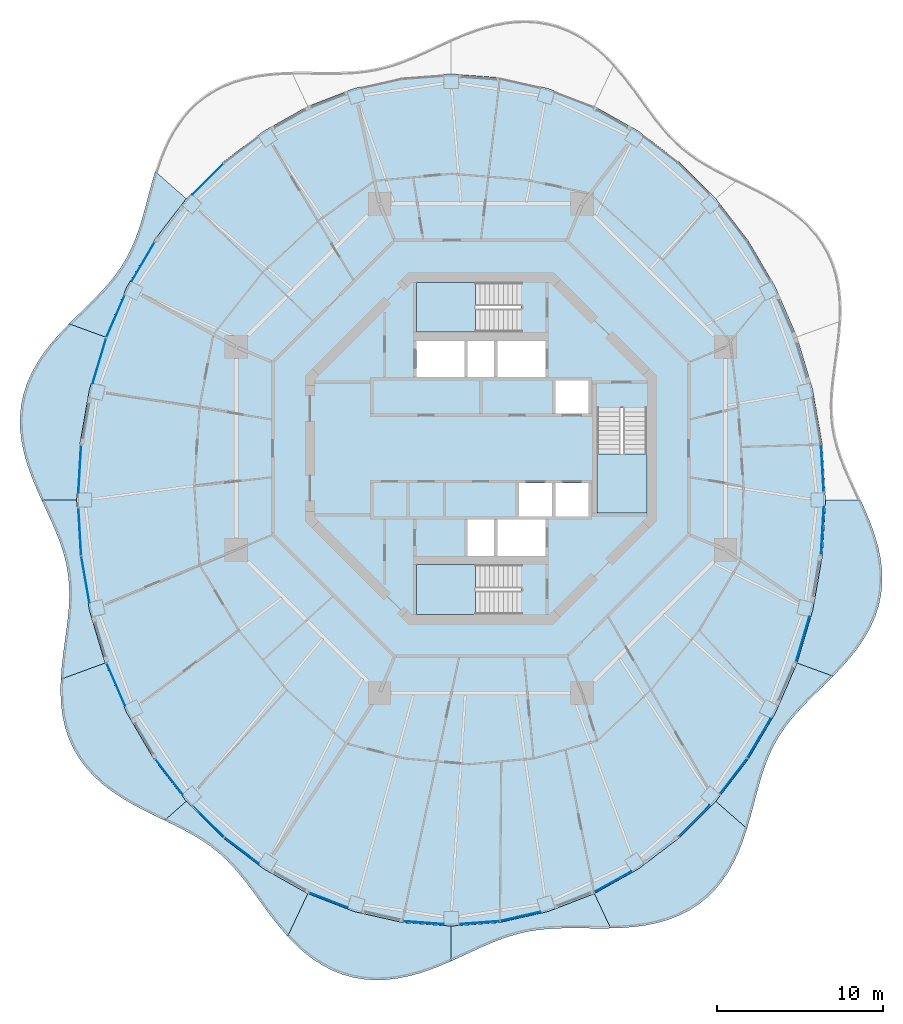
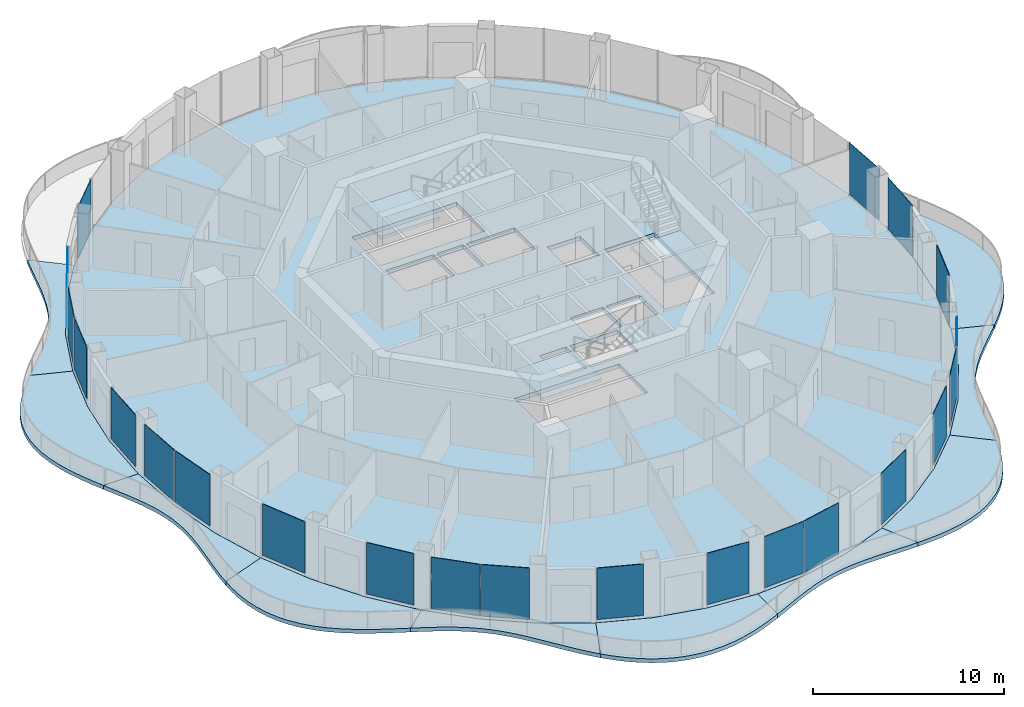
# One storey, part 8 of 17: 22 plates, 14 slabs, 25 elements without a shape of their own.
"""IFC4 building model written with IfcOpenShell, lengths in metres."""

from ifc_helpers import new_model, si_unit, direction, frame, origin, origin_2d, place, context, subcontext, project, spatial, polyline, rectangle, outline, extrude, material, layer, layer_set, type_object, element, aggregate, save


model = new_model("IFC4")

# Units and contexts
model_context = context("Model", 3, precision=1e-05, world=origin(), true_north=direction((0.0, 1.0)))
body_context = subcontext(model_context, "Body", "Model", "MODEL_VIEW")
ifc_project = project(units=[si_unit("LENGTHUNIT", "METRE"), si_unit("AREAUNIT", "SQUARE_METRE"), si_unit("VOLUMEUNIT", "CUBIC_METRE"), si_unit("PLANEANGLEUNIT", "RADIAN"), si_unit("MASSUNIT", "GRAM", prefix="KILO")], contexts=[model_context])

# Site, building, storey
site_placement = place(None, origin())
site = spatial("IfcSite", under=ifc_project, at=site_placement, CompositionType="ELEMENT")
building_placement = place(site_placement, origin())
building = spatial("IfcBuilding", under=site, at=building_placement, Name="Nagisa Residences", CompositionType="ELEMENT")
storey_placement = place(building_placement, frame((0.0, 0.0, 291.800048828125)))
storey = spatial("IfcBuildingStorey", under=building, at=storey_placement, Name="L74", CompositionType="ELEMENT", Elevation=291.800048828125)

# Slabs
ifc_material_1 = material(Name="Concrete C40/50", Category="concrete")
ifc_layer_1 = layer(ifc_material_1, 0.25)
ifc_layer_set_1 = layer_set([ifc_layer_1], Name="BALCONY SLAB 250")
slab_type_1 = type_object("IfcSlabType", Name="BALCONY SLAB 250", PredefinedType="FLOOR", material=ifc_layer_set_1)
slab_1_placement = place(storey_placement, frame((0.0, 0.0, -0.25)))
element("IfcSlab", 1, at=slab_1_placement, inside=storey, type_object=slab_type_1, Name="slab:L74:bal06", PredefinedType="FLOOR", context=body_context, shape_type="SweptSolid", body=[
    extrude(outline(polyline([(-19.673095703125, 16.73388671875), (-19.87841796875, 16.031494140625), (-20.06591796875, 15.333984375), (-20.24609375, 14.649169921875), (-20.42919921875, 13.98291015625), (-20.625, 13.339599609375), (-20.842529296875, 12.72216796875), (-21.08935546875, 12.13134765625), (-21.37109375, 11.56689453125), (-21.692138671875, 11.0263671875), (-22.053955078125, 10.50634765625), (-22.455322265625, 10.002197265625), (-22.893310546875, 9.5087890625), (-23.36279296875, 9.02001953125), (-23.855712890625, 8.530029296875), (-24.36279296875, 8.033447265625), (-24.873779296875, 7.524658203125), (-22.6982421875, 6.732666015625), (-21.389404296875, 9.752197265625), (-19.74560546875, 12.5517578125), (-17.794677734375, 15.083251953125), (-19.673095703125, 16.73388671875)])), origin(), (0.0, 0.0, 1.0), 0.25),
])
slab_2_placement = place(storey_placement, frame((0.0, 0.0, -0.25)))
element("IfcSlab", 2, at=slab_2_placement, inside=storey, type_object=slab_type_1, Name="slab:L74:bal07", PredefinedType="FLOOR", context=body_context, shape_type="SweptSolid", body=[
    extrude(outline(polyline([(-24.873779296875, 7.524658203125), (-25.392822265625, 6.982177734375), (-25.89013671875, 6.41845703125), (-26.35302734375, 5.8310546875), (-26.769287109375, 5.218505859375), (-27.127685546875, 4.581298828125), (-27.41943359375, 3.9208984375), (-27.637939453125, 3.239990234375), (-27.77880859375, 2.542236328125), (-27.8408203125, 1.83203125), (-27.825927734375, 1.114013671875), (-27.738525390625, 0.39306640625), (-27.58544921875, -0.326416015625), (-27.376708984375, -1.0400390625), (-27.12353515625, -1.74462890625), (-26.83837890625, -2.4375), (-26.535400390625, -3.11767578125), (-24.419921875, -3.11767578125), (-24.2265625, 0.241943359375), (-23.649169921875, 3.544189453125), (-22.6982421875, 6.732666015625), (-24.873779296875, 7.524658203125)])), origin(), (0.0, 0.0, 1.0), 0.25),
])
slab_3_placement = place(storey_placement, frame((0.0, 0.0, -0.25)))
element("IfcSlab", 3, at=slab_3_placement, inside=storey, type_object=slab_type_1, Name="slab:L74:bal08", PredefinedType="FLOOR", context=body_context, shape_type="SweptSolid", body=[
    extrude(outline(polyline([(-26.535400390625, -3.11767578125), (-26.227783203125, -3.78466796875), (-25.92919921875, -4.439453125), (-25.65185546875, -5.084228515625), (-25.40625, -5.721435546875), (-25.20068359375, -6.354736328125), (-25.04150390625, -6.98828125), (-24.931640625, -7.6259765625), (-24.871337890625, -8.271728515625), (-24.858154296875, -8.92919921875), (-24.886962890625, -9.600830078125), (-24.94921875, -10.28857421875), (-25.03564453125, -10.992919921875), (-25.134033203125, -11.713134765625), (-25.231689453125, -12.447265625), (-25.315673828125, -13.19140625), (-25.372802734375, -13.941650390625), (-22.6982421875, -12.968017578125), (-23.649169921875, -9.77978515625), (-24.2265625, -6.4775390625), (-24.419921875, -3.11767578125), (-26.535400390625, -3.11767578125)])), origin(), (0.0, 0.0, 1.0), 0.25),
])
slab_4_placement = place(storey_placement, frame((0.0, 0.0, -0.25)))
element("IfcSlab", 4, at=slab_4_placement, inside=storey, type_object=slab_type_1, Name="slab:L74:bal09", PredefinedType="FLOOR", context=body_context, shape_type="SweptSolid", body=[
    extrude(outline(polyline([(-25.372802734375, -13.941650390625), (-25.390625, -14.668701171875), (-25.361328125, -15.389892578125), (-25.276611328125, -16.099365234375), (-25.129638671875, -16.79052734375), (-24.916015625, -17.45751953125), (-24.634033203125, -18.0947265625), (-24.283935546875, -18.697265625), (-23.868408203125, -19.26171875), (-23.392578125, -19.785888671875), (-22.863525390625, -20.26904296875), (-22.289794921875, -20.712158203125), (-21.680908203125, -21.117919921875), (-21.047607421875, -21.490478515625), (-20.400634765625, -21.83544921875), (-19.750244140625, -22.15966796875), (-19.10595703125, -22.470947265625), (-17.794677734375, -21.318603515625), (-19.74560546875, -18.787109375), (-21.389404296875, -15.98779296875), (-22.6982421875, -12.968017578125), (-25.372802734375, -13.941650390625)])), origin(), (0.0, 0.0, 1.0), 0.25),
])
slab_5_placement = place(storey_placement, frame((0.0, 0.0, -0.25)))
element("IfcSlab", 5, at=slab_5_placement, inside=storey, type_object=slab_type_1, Name="slab:L74:bal10", PredefinedType="FLOOR", context=body_context, shape_type="SweptSolid", body=[
    extrude(outline(polyline([(-19.10595703125, -22.470947265625), (-18.505859375, -22.76318359375), (-17.925048828125, -23.058837890625), (-17.36865234375, -23.36474609375), (-16.83935546875, -23.6875), (-16.338134765625, -24.033203125), (-15.864990234375, -24.40625), (-15.41748046875, -24.809814453125), (-14.991943359375, -25.2451171875), (-14.583740234375, -25.71240234375), (-14.186767578125, -26.209228515625), (-13.79443359375, -26.731689453125), (-13.400146484375, -27.27392578125), (-12.99658203125, -27.828857421875), (-12.577880859375, -28.3876953125), (-12.13818359375, -28.94091796875), (-11.67236328125, -29.478271484375), (-10.456298828125, -26.8984375), (-13.110107421875, -25.4091796875), (-15.570068359375, -23.53857421875), (-17.794677734375, -21.318603515625), (-19.10595703125, -22.470947265625)])), origin(), (0.0, 0.0, 1.0), 0.25),
])
slab_6_placement = place(storey_placement, frame((0.0, 0.0, -0.25)))
element("IfcSlab", 6, at=slab_6_placement, inside=storey, type_object=slab_type_1, Name="slab:L74:bal11", PredefinedType="FLOOR", context=body_context, shape_type="SweptSolid", body=[
    extrude(outline(polyline([(-11.67236328125, -29.478271484375), (-11.195556640625, -29.971435546875), (-10.689697265625, -30.4306640625), (-10.153564453125, -30.84716796875), (-9.588134765625, -31.213623046875), (-8.99462890625, -31.523193359375), (-8.37646484375, -31.7705078125), (-7.73681640625, -31.9521484375), (-7.08056640625, -32.066650390625), (-6.412353515625, -32.114013671875), (-5.73779296875, -32.096923828125), (-5.061279296875, -32.019287109375), (-4.38818359375, -31.886962890625), (-3.72265625, -31.70703125), (-3.06787109375, -31.488525390625), (-2.426513671875, -31.240478515625), (-1.800048828125, -30.97314453125), (-1.800048828125, -28.857666015625), (-4.75244140625, -28.637451171875), (-7.654541015625, -27.980712890625), (-10.456298828125, -26.8984375), (-11.67236328125, -29.478271484375)])), origin(), (0.0, 0.0, 1.0), 0.25),
])
slab_7_placement = place(storey_placement, frame((0.0, 0.0, -0.25)))
element("IfcSlab", 7, at=slab_7_placement, inside=storey, type_object=slab_type_1, Name="slab:L74:bal12", PredefinedType="FLOOR", context=body_context, shape_type="SweptSolid", body=[
    extrude(outline(polyline([(-1.800048828125, -30.97314453125), (-1.18896484375, -30.696044921875), (-0.592529296875, -30.419677734375), (-0.0087890625, -30.152587890625), (0.564453125, -29.903076171875), (1.130615234375, -29.677734375), (1.693359375, -29.481689453125), (2.257080078125, -29.318603515625), (2.82568359375, -29.189697265625), (3.403076171875, -29.094482421875), (3.991943359375, -29.03076171875), (4.59521484375, -28.99462890625), (5.21435546875, -28.97998046875), (5.849853515625, -28.980224609375), (6.5009765625, -28.9873046875), (7.16552734375, -28.992431640625), (7.8408203125, -28.987060546875), (6.856201171875, -26.8984375), (4.054443359375, -27.980712890625), (1.152587890625, -28.637451171875), (-1.800048828125, -28.857666015625), (-1.800048828125, -30.97314453125)])), origin(), (0.0, 0.0, 1.0), 0.25),
])
slab_8_placement = place(storey_placement, frame((0.0, 0.0, -0.25)))
element("IfcSlab", 8, at=slab_8_placement, inside=storey, type_object=slab_type_1, Name="slab:L74:bal13", PredefinedType="FLOOR", context=body_context, shape_type="SweptSolid", body=[
    extrude(outline(polyline([(7.8408203125, -28.987060546875), (8.548095703125, -28.960693359375), (9.25634765625, -28.90380859375), (9.95947265625, -28.807861328125), (10.650146484375, -28.66552734375), (11.321044921875, -28.470947265625), (11.965087890625, -28.22021484375), (12.575927734375, -27.91064453125), (13.1474609375, -27.542236328125), (13.67529296875, -27.116455078125), (14.156005859375, -26.636474609375), (14.587890625, -26.107177734375), (14.970947265625, -25.53515625), (15.306640625, -24.927001953125), (15.598876953125, -24.291259765625), (15.85205078125, -23.6357421875), (16.072998046875, -22.96923828125), (14.19482421875, -21.318603515625), (11.97021484375, -23.53857421875), (9.510009765625, -25.4091796875), (6.856201171875, -26.8984375), (7.8408203125, -28.987060546875)])), origin(), (0.0, 0.0, 1.0), 0.25),
])
slab_9_placement = place(storey_placement, frame((0.0, 0.0, -0.25)))
element("IfcSlab", 9, at=slab_9_placement, inside=storey, type_object=slab_type_1, Name="slab:L74:bal14", PredefinedType="FLOOR", context=body_context, shape_type="SweptSolid", body=[
    extrude(outline(polyline([(16.072998046875, -22.96923828125), (16.2783203125, -22.266845703125), (16.466064453125, -21.5693359375), (16.646240234375, -20.884521484375), (16.829345703125, -20.21826171875), (17.02490234375, -19.574951171875), (17.242431640625, -18.95751953125), (17.4892578125, -18.36669921875), (17.771240234375, -17.80224609375), (18.09228515625, -17.26171875), (18.453857421875, -16.74169921875), (18.855224609375, -16.23779296875), (19.29345703125, -15.744140625), (19.7626953125, -15.25537109375), (20.255615234375, -14.765625), (20.762939453125, -14.268798828125), (21.27392578125, -13.760009765625), (19.09814453125, -12.968017578125), (17.78955078125, -15.98779296875), (16.145751953125, -18.787109375), (14.19482421875, -21.318603515625), (16.072998046875, -22.96923828125)])), origin(), (0.0, 0.0, 1.0), 0.25),
])
slab_10_placement = place(storey_placement, frame((0.0, 0.0, -0.25)))
element("IfcSlab", 10, at=slab_10_placement, inside=storey, type_object=slab_type_1, Name="slab:L74:bal15", PredefinedType="FLOOR", context=body_context, shape_type="SweptSolid", body=[
    extrude(outline(polyline([(21.27392578125, -13.760009765625), (21.792724609375, -13.217529296875), (22.290283203125, -12.65380859375), (22.753173828125, -12.06640625), (23.169189453125, -11.453857421875), (23.527587890625, -10.816650390625), (23.8193359375, -10.15625), (24.037841796875, -9.475341796875), (24.1787109375, -8.777587890625), (24.240966796875, -8.0673828125), (24.225830078125, -7.349365234375), (24.138427734375, -6.62841796875), (23.985595703125, -5.908935546875), (23.77685546875, -5.1953125), (23.5234375, -4.49072265625), (23.238525390625, -3.7978515625), (22.935302734375, -3.11767578125), (20.820068359375, -3.11767578125), (20.62646484375, -6.4775390625), (20.04931640625, -9.77978515625), (19.09814453125, -12.968017578125), (21.27392578125, -13.760009765625)])), origin(), (0.0, 0.0, 1.0), 0.25),
])

# Curtain wall, plate
ifc_material_2 = material(Name="Concrete-coloured aluminium curtain wall system", Category="concrete")
ifc_layer_2 = layer(ifc_material_2, 0.159912109375)
ifc_layer_set_2 = layer_set([ifc_layer_2], Name="CW1 CURTAIN WALL")
curtain_wall_type = type_object("IfcCurtainWallType", Name="CW1 CURTAIN WALL", PredefinedType="NOTDEFINED", material=ifc_layer_set_2)
curtain_wall_1_placement = place(storey_placement, origin())
curtain_wall_1 = element("IfcCurtainWall", 11, at=curtain_wall_1_placement, inside=storey, type_object=curtain_wall_type, Name="cw:CW1:L74:00", PredefinedType="NOTDEFINED")
ifc_material_3 = material(Name="Clear laminated glass", Category="glass")
ifc_layer_3 = layer(ifc_material_3, 0.028076171875)
ifc_layer_set_3 = layer_set([ifc_layer_3], Name="CW1 GLASS PANEL")
plate_type = type_object("IfcPlateType", Name="CW1 GLASS PANEL", PredefinedType="CURTAIN_PANEL", material=ifc_layer_set_3)
plate_1_placement = place(storey_placement, frame((20.628662109375, -1.187744140625, 0.14990234375), z_axis=(0.0, 0.0, 1.0), x_axis=(-0.057503492216, 0.998345305184, 0.0)))
plate_1 = element("IfcPlate", 12, at=plate_1_placement, type_object=plate_type, Name="CW1 panel", PredefinedType="CURTAIN_PANEL", context=body_context, shape_type="SweptSolid", body=[
    extrude(rectangle(XDim=2.855224609375, YDim=0.028076171875, at=origin_2d()), origin(), (0.0, 0.0, 1.0), 3.2900390625),
])
aggregate(curtain_wall_1, [plate_1])

curtain_wall_2_placement = place(storey_placement, origin())
curtain_wall_2 = element("IfcCurtainWall", 13, at=curtain_wall_2_placement, inside=storey, type_object=curtain_wall_type, Name="cw:CW1:L74:17", PredefinedType="NOTDEFINED")
plate_2_placement = place(storey_placement, frame((-16.488037109375, 16.2744140625, 0.14990234375), z_axis=(0.0, 0.0, 1.0), x_axis=(-0.707835924016, -0.706376885714, 0.0)))
plate_2 = element("IfcPlate", 14, at=plate_2_placement, type_object=plate_type, Name="CW1 panel", PredefinedType="CURTAIN_PANEL", context=body_context, shape_type="SweptSolid", body=[
    extrude(rectangle(XDim=2.6328125, YDim=0.028076171875, at=origin_2d()), origin(), (0.0, 0.0, 1.0), 3.2900390625),
])
aggregate(curtain_wall_2, [plate_2])

curtain_wall_3_placement = place(storey_placement, origin())
curtain_wall_3 = element("IfcCurtainWall", 15, at=curtain_wall_3_placement, inside=storey, type_object=curtain_wall_type, Name="cw:CW1:L74:19", PredefinedType="NOTDEFINED")
plate_3_placement = place(storey_placement, frame((-20.39990234375, 11.27978515625, 0.14990234375), z_axis=(0.0, 0.0, 1.0), x_axis=(-0.506348567002, -0.862328898214, 0.0)))
plate_3 = element("IfcPlate", 16, at=plate_3_placement, type_object=plate_type, Name="CW1 panel", PredefinedType="CURTAIN_PANEL", context=body_context, shape_type="SweptSolid", body=[
    extrude(rectangle(XDim=2.736572265625, YDim=0.028076171875, at=origin_2d()), origin(), (0.0, 0.0, 1.0), 3.2900390625),
])
aggregate(curtain_wall_3, [plate_3])

curtain_wall_4_placement = place(storey_placement, origin())
curtain_wall_4 = element("IfcCurtainWall", 17, at=curtain_wall_4_placement, inside=storey, type_object=curtain_wall_type, Name="cw:CW1:L74:20", PredefinedType="NOTDEFINED")
plate_4_placement = place(storey_placement, frame((-22.07177734375, 7.9765625, 0.14990234375), z_axis=(0.0, 0.0, 1.0), x_axis=(-0.397635934147, -0.917543276295, 0.0)))
plate_4 = element("IfcPlate", 18, at=plate_4_placement, type_object=plate_type, Name="CW1 panel", PredefinedType="CURTAIN_PANEL", context=body_context, shape_type="SweptSolid", body=[
    extrude(rectangle(XDim=2.781005859375, YDim=0.028076171875, at=origin_2d()), origin(), (0.0, 0.0, 1.0), 3.2900390625),
])
aggregate(curtain_wall_4, [plate_4])

curtain_wall_5_placement = place(storey_placement, origin())
curtain_wall_5 = element("IfcCurtainWall", 19, at=curtain_wall_5_placement, inside=storey, type_object=curtain_wall_type, Name="cw:CW1:L74:21", PredefinedType="NOTDEFINED")
plate_5_placement = place(storey_placement, frame((-23.041259765625, 5.302490234375, 0.14990234375), z_axis=(0.0, 0.0, 1.0), x_axis=(-0.285860274038, -0.958271310082, 0.0)))
plate_5 = element("IfcPlate", 20, at=plate_5_placement, type_object=plate_type, Name="CW1 panel", PredefinedType="CURTAIN_PANEL", context=body_context, shape_type="SweptSolid", body=[
    extrude(rectangle(XDim=2.817138671875, YDim=0.028076171875, at=origin_2d()), origin(), (0.0, 0.0, 1.0), 3.2900390625),
])
aggregate(curtain_wall_5, [plate_5])

curtain_wall_6_placement = place(storey_placement, origin())
curtain_wall_6 = element("IfcCurtainWall", 21, at=curtain_wall_6_placement, inside=storey, type_object=curtain_wall_type, Name="cw:CW1:L74:23", PredefinedType="NOTDEFINED")
plate_6_placement = place(storey_placement, frame((-24.232177734375, -1.247802734375, 0.14990234375), z_axis=(0.0, 0.0, 1.0), x_axis=(-0.057503492216, -0.998345305184, 0.0)))
plate_6 = element("IfcPlate", 22, at=plate_6_placement, type_object=plate_type, Name="CW1 panel", PredefinedType="CURTAIN_PANEL", context=body_context, shape_type="SweptSolid", body=[
    extrude(rectangle(XDim=2.855224609375, YDim=0.028076171875, at=origin_2d()), origin(), (0.0, 0.0, 1.0), 3.2900390625),
])
aggregate(curtain_wall_6, [plate_6])

curtain_wall_7_placement = place(storey_placement, origin())
curtain_wall_7 = element("IfcCurtainWall", 23, at=curtain_wall_7_placement, inside=storey, type_object=curtain_wall_type, Name="cw:CW1:L74:24", PredefinedType="NOTDEFINED")
plate_7_placement = place(storey_placement, frame((-24.228759765625, -5.047607421875, 0.14990234375), z_axis=(0.0, 0.0, 1.0), x_axis=(0.057503492216, -0.998345305184, 0.0)))
plate_7 = element("IfcPlate", 24, at=plate_7_placement, type_object=plate_type, Name="CW1 panel", PredefinedType="CURTAIN_PANEL", context=body_context, shape_type="SweptSolid", body=[
    extrude(rectangle(XDim=2.855224609375, YDim=0.028076171875, at=origin_2d()), origin(), (0.0, 0.0, 1.0), 3.2900390625),
])
aggregate(curtain_wall_7, [plate_7])

curtain_wall_8_placement = place(storey_placement, origin())
curtain_wall_8 = element("IfcCurtainWall", 25, at=curtain_wall_8_placement, inside=storey, type_object=curtain_wall_type, Name="cw:CW1:L74:25", PredefinedType="NOTDEFINED")
plate_8_placement = place(storey_placement, frame((-23.892578125, -7.922607421875, 0.14990234375), z_axis=(0.0, 0.0, 1.0), x_axis=(0.172190868898, -0.985063604377, 0.0)))
plate_8 = element("IfcPlate", 26, at=plate_8_placement, type_object=plate_type, Name="CW1 panel", PredefinedType="CURTAIN_PANEL", context=body_context, shape_type="SweptSolid", body=[
    extrude(rectangle(XDim=2.84228515625, YDim=0.028076171875, at=origin_2d()), origin(), (0.0, 0.0, 1.0), 3.2900390625),
])
aggregate(curtain_wall_8, [plate_8])

curtain_wall_9_placement = place(storey_placement, origin())
curtain_wall_9 = element("IfcCurtainWall", 27, at=curtain_wall_9_placement, inside=storey, type_object=curtain_wall_type, Name="cw:CW1:L74:27", PredefinedType="NOTDEFINED")
plate_9_placement = place(storey_placement, frame((-22.0478515625, -14.26708984375, 0.14990234375), z_axis=(0.0, 0.0, 1.0), x_axis=(0.397635934147, -0.917543276295, 0.0)))
plate_9 = element("IfcPlate", 28, at=plate_9_placement, type_object=plate_type, Name="CW1 panel", PredefinedType="CURTAIN_PANEL", context=body_context, shape_type="SweptSolid", body=[
    extrude(rectangle(XDim=2.781005859375, YDim=0.028076171875, at=origin_2d()), origin(), (0.0, 0.0, 1.0), 3.2900390625),
])
aggregate(curtain_wall_9, [plate_9])

curtain_wall_10_placement = place(storey_placement, origin())
curtain_wall_10 = element("IfcCurtainWall", 29, at=curtain_wall_10_placement, inside=storey, type_object=curtain_wall_type, Name="cw:CW1:L74:29", PredefinedType="NOTDEFINED")
plate_10_placement = place(storey_placement, frame((-18.825927734375, -19.849609375, 0.14990234375), z_axis=(0.0, 0.0, 1.0), x_axis=(0.610429828235, -0.792070340816, 0.0)))
plate_10 = element("IfcPlate", 30, at=plate_10_placement, type_object=plate_type, Name="CW1 panel", PredefinedType="CURTAIN_PANEL", context=body_context, shape_type="SweptSolid", body=[
    extrude(rectangle(XDim=2.68603515625, YDim=0.028076171875, at=origin_2d()), origin(), (0.0, 0.0, 1.0), 3.2900390625),
])
aggregate(curtain_wall_10, [plate_10])

curtain_wall_11_placement = place(storey_placement, origin())
curtain_wall_11 = element("IfcCurtainWall", 31, at=curtain_wall_11_placement, inside=storey, type_object=curtain_wall_type, Name="cw:CW1:L74:30", PredefinedType="NOTDEFINED")
plate_11_placement = place(storey_placement, frame((-16.445556640625, -22.552001953125, 0.14990234375), z_axis=(0.0, 0.0, 1.0), x_axis=(0.707835924016, -0.706376885714, 0.0)))
plate_11 = element("IfcPlate", 32, at=plate_11_placement, type_object=plate_type, Name="CW1 panel", PredefinedType="CURTAIN_PANEL", context=body_context, shape_type="SweptSolid", body=[
    extrude(rectangle(XDim=2.6328125, YDim=0.028076171875, at=origin_2d()), origin(), (0.0, 0.0, 1.0), 3.2900390625),
])
aggregate(curtain_wall_11, [plate_11])

curtain_wall_12_placement = place(storey_placement, origin())
curtain_wall_12 = element("IfcCurtainWall", 33, at=curtain_wall_12_placement, inside=storey, type_object=curtain_wall_type, Name="cw:CW1:L74:31", PredefinedType="NOTDEFINED")
plate_12_placement = place(storey_placement, frame((-14.44677734375, -24.292236328125, 0.14990234375), z_axis=(0.0, 0.0, 1.0), x_axis=(0.79603132756, -0.605255421737, 0.0)))
plate_12 = element("IfcPlate", 34, at=plate_12_placement, type_object=plate_type, Name="CW1 panel", PredefinedType="CURTAIN_PANEL", context=body_context, shape_type="SweptSolid", body=[
    extrude(rectangle(XDim=2.58056640625, YDim=0.028076171875, at=origin_2d()), origin(), (0.0, 0.0, 1.0), 3.2900390625),
])
aggregate(curtain_wall_12, [plate_12])

curtain_wall_13_placement = place(storey_placement, origin())
curtain_wall_13 = element("IfcCurtainWall", 35, at=curtain_wall_13_placement, inside=storey, type_object=curtain_wall_type, Name="cw:CW1:L74:33", PredefinedType="NOTDEFINED")
plate_13_placement = place(storey_placement, frame((-9.20849609375, -27.294677734375, 0.14990234375), z_axis=(0.0, 0.0, 1.0), x_axis=(0.932825759707, -0.360327770268, 0.0)))
plate_13 = element("IfcPlate", 36, at=plate_13_placement, type_object=plate_type, Name="CW1 panel", PredefinedType="CURTAIN_PANEL", context=body_context, shape_type="SweptSolid", body=[
    extrude(rectangle(XDim=2.49365234375, YDim=0.028076171875, at=origin_2d()), origin(), (0.0, 0.0, 1.0), 3.2900390625),
])
aggregate(curtain_wall_13, [plate_13])

curtain_wall_14_placement = place(storey_placement, origin())
curtain_wall_14 = element("IfcCurtainWall", 37, at=curtain_wall_14_placement, inside=storey, type_object=curtain_wall_type, Name="cw:CW1:L74:35", PredefinedType="NOTDEFINED")
plate_14_placement = place(storey_placement, frame((-3.46484375, -28.6533203125, 0.14990234375), z_axis=(0.0, 0.0, 1.0), x_axis=(0.997230168512, -0.074377355493, 0.0)))
plate_14 = element("IfcPlate", 38, at=plate_14_placement, type_object=plate_type, Name="CW1 panel", PredefinedType="CURTAIN_PANEL", context=body_context, shape_type="SweptSolid", body=[
    extrude(rectangle(XDim=2.45068359375, YDim=0.028076171875, at=origin_2d()), origin(), (0.0, 0.0, 1.0), 3.2900390625),
])
aggregate(curtain_wall_14, [plate_14])

curtain_wall_15_placement = place(storey_placement, origin())
curtain_wall_15 = element("IfcCurtainWall", 39, at=curtain_wall_15_placement, inside=storey, type_object=curtain_wall_type, Name="cw:CW1:L74:36", PredefinedType="NOTDEFINED")
plate_15_placement = place(storey_placement, frame((-0.075439453125, -28.64892578125, 0.14990234375), z_axis=(0.0, 0.0, 1.0), x_axis=(0.997230168512, 0.074377355493, 0.0)))
plate_15 = element("IfcPlate", 40, at=plate_15_placement, type_object=plate_type, Name="CW1 panel", PredefinedType="CURTAIN_PANEL", context=body_context, shape_type="SweptSolid", body=[
    extrude(rectangle(XDim=2.45068359375, YDim=0.028076171875, at=origin_2d()), origin(), (0.0, 0.0, 1.0), 3.2900390625),
])
aggregate(curtain_wall_15, [plate_15])

curtain_wall_16_placement = place(storey_placement, origin())
curtain_wall_16 = element("IfcCurtainWall", 41, at=curtain_wall_16_placement, inside=storey, type_object=curtain_wall_type, Name="cw:CW1:L74:37", PredefinedType="NOTDEFINED")
plate_16_placement = place(storey_placement, frame((2.395751953125, -28.274169921875, 0.14990234375), z_axis=(0.0, 0.0, 1.0), x_axis=(0.975327274089, 0.2207639201, 0.0)))
plate_16 = element("IfcPlate", 42, at=plate_16_placement, type_object=plate_type, Name="CW1 panel", PredefinedType="CURTAIN_PANEL", context=body_context, shape_type="SweptSolid", body=[
    extrude(rectangle(XDim=2.46533203125, YDim=0.028076171875, at=origin_2d()), origin(), (0.0, 0.0, 1.0), 3.2900390625),
])
aggregate(curtain_wall_16, [plate_16])

curtain_wall_17_placement = place(storey_placement, origin())
curtain_wall_17 = element("IfcCurtainWall", 43, at=curtain_wall_17_placement, inside=storey, type_object=curtain_wall_type, Name="cw:CW1:L74:39", PredefinedType="NOTDEFINED")
plate_17_placement = place(storey_placement, frame((7.973876953125, -26.179443359375, 0.14990234375), z_axis=(0.0, 0.0, 1.0), x_axis=(0.872072377523, 0.489376918501, 0.0)))
plate_17 = element("IfcPlate", 44, at=plate_17_placement, type_object=plate_type, Name="CW1 panel", PredefinedType="CURTAIN_PANEL", context=body_context, shape_type="SweptSolid", body=[
    extrude(rectangle(XDim=2.532958984375, YDim=0.028076171875, at=origin_2d()), origin(), (0.0, 0.0, 1.0), 3.2900390625),
])
aggregate(curtain_wall_17, [plate_17])

curtain_wall_18_placement = place(storey_placement, origin())
curtain_wall_18 = element("IfcCurtainWall", 45, at=curtain_wall_18_placement, inside=storey, type_object=curtain_wall_type, Name="cw:CW1:L74:41", PredefinedType="NOTDEFINED")
plate_18_placement = place(storey_placement, frame((12.887939453125, -22.509765625, 0.14990234375), z_axis=(0.0, 0.0, 1.0), x_axis=(0.707835924016, 0.706376885714, 0.0)))
plate_18 = element("IfcPlate", 46, at=plate_18_placement, type_object=plate_type, Name="CW1 panel", PredefinedType="CURTAIN_PANEL", context=body_context, shape_type="SweptSolid", body=[
    extrude(rectangle(XDim=2.6328125, YDim=0.028076171875, at=origin_2d()), origin(), (0.0, 0.0, 1.0), 3.2900390625),
])
aggregate(curtain_wall_18, [plate_18])

curtain_wall_19_placement = place(storey_placement, origin())
curtain_wall_19 = element("IfcCurtainWall", 47, at=curtain_wall_19_placement, inside=storey, type_object=curtain_wall_type, Name="cw:CW1:L74:42", PredefinedType="NOTDEFINED")
plate_19_placement = place(storey_placement, frame((15.262451171875, -19.802001953125, 0.14990234375), z_axis=(0.0, 0.0, 1.0), x_axis=(0.610429828235, 0.792070340816, 0.0)))
plate_19 = element("IfcPlate", 48, at=plate_19_placement, type_object=plate_type, Name="CW1 panel", PredefinedType="CURTAIN_PANEL", context=body_context, shape_type="SweptSolid", body=[
    extrude(rectangle(XDim=2.68603515625, YDim=0.028076171875, at=origin_2d()), origin(), (0.0, 0.0, 1.0), 3.2900390625),
])
aggregate(curtain_wall_19, [plate_19])

curtain_wall_20_placement = place(storey_placement, origin())
curtain_wall_20 = element("IfcCurtainWall", 49, at=curtain_wall_20_placement, inside=storey, type_object=curtain_wall_type, Name="cw:CW1:L74:43", PredefinedType="NOTDEFINED")
plate_20_placement = place(storey_placement, frame((16.7998046875, -17.51513671875, 0.14990234375), z_axis=(0.0, 0.0, 1.0), x_axis=(0.506348567002, 0.862328898214, 0.0)))
plate_20 = element("IfcPlate", 50, at=plate_20_placement, type_object=plate_type, Name="CW1 panel", PredefinedType="CURTAIN_PANEL", context=body_context, shape_type="SweptSolid", body=[
    extrude(rectangle(XDim=2.736572265625, YDim=0.028076171875, at=origin_2d()), origin(), (0.0, 0.0, 1.0), 3.2900390625),
])
aggregate(curtain_wall_20, [plate_20])

curtain_wall_21_placement = place(storey_placement, origin())
curtain_wall_21 = element("IfcCurtainWall", 51, at=curtain_wall_21_placement, inside=storey, type_object=curtain_wall_type, Name="cw:CW1:L74:45", PredefinedType="NOTDEFINED")
plate_21_placement = place(storey_placement, frame((19.44140625, -11.537841796875, 0.14990234375), z_axis=(0.0, 0.0, 1.0), x_axis=(0.285860274038, 0.958271310082, 0.0)))
plate_21 = element("IfcPlate", 52, at=plate_21_placement, type_object=plate_type, Name="CW1 panel", PredefinedType="CURTAIN_PANEL", context=body_context, shape_type="SweptSolid", body=[
    extrude(rectangle(XDim=2.817138671875, YDim=0.028076171875, at=origin_2d()), origin(), (0.0, 0.0, 1.0), 3.2900390625),
])
aggregate(curtain_wall_21, [plate_21])

curtain_wall_22_placement = place(storey_placement, origin())
curtain_wall_22 = element("IfcCurtainWall", 53, at=curtain_wall_22_placement, inside=storey, type_object=curtain_wall_type, Name="cw:CW1:L74:47", PredefinedType="NOTDEFINED")
plate_22_placement = place(storey_placement, frame((20.632080078125, -4.987548828125, 0.14990234375), z_axis=(0.0, 0.0, 1.0), x_axis=(0.057503492216, 0.998345305184, 0.0)))
plate_22 = element("IfcPlate", 54, at=plate_22_placement, type_object=plate_type, Name="CW1 panel", PredefinedType="CURTAIN_PANEL", context=body_context, shape_type="SweptSolid", body=[
    extrude(rectangle(XDim=2.855224609375, YDim=0.028076171875, at=origin_2d()), origin(), (0.0, 0.0, 1.0), 3.2900390625),
])
aggregate(curtain_wall_22, [plate_22])

# Slab
ifc_material_4 = material(Name="Concrete C40", Category="concrete")
ifc_layer_4 = layer(ifc_material_4, 0.260009765625)
ifc_layer_set_4 = layer_set([ifc_layer_4], Name="Floor slab 260")
slab_type_2 = type_object("IfcSlabType", Name="Floor slab 260", PredefinedType="FLOOR", material=ifc_layer_set_4)
slab_11_placement = place(storey_placement, frame((0.0, 0.0, -0.260009765625)))
element("IfcSlab", 55, at=slab_11_placement, inside=storey, type_object=slab_type_2, Name="slab:L74:floor", PredefinedType="FLOOR", context=body_context, shape_type="SweptSolid", body=[
    extrude(outline(polyline([(20.820068359375, -3.11767578125), (20.62646484375, 0.241943359375), (20.04931640625, 3.544189453125), (19.09814453125, 6.732666015625), (17.78955078125, 9.752197265625), (16.145751953125, 12.5517578125), (14.19482421875, 15.083251953125), (11.97021484375, 17.30322265625), (9.510009765625, 19.173828125), (6.856201171875, 20.6630859375), (4.054443359375, 21.745361328125), (1.152587890625, 22.402099609375), (-1.800048828125, 22.622314453125), (-4.75244140625, 22.402099609375), (-7.654541015625, 21.745361328125), (-10.456298828125, 20.6630859375), (-13.110107421875, 19.173828125), (-15.570068359375, 17.30322265625), (-17.794677734375, 15.083251953125), (-19.74560546875, 12.5517578125), (-21.389404296875, 9.752197265625), (-22.6982421875, 6.732666015625), (-23.649169921875, 3.544189453125), (-24.2265625, 0.241943359375), (-24.419921875, -3.11767578125), (-24.2265625, -6.4775390625), (-23.649169921875, -9.77978515625), (-22.6982421875, -12.968017578125), (-21.389404296875, -15.98779296875), (-19.74560546875, -18.787109375), (-17.794677734375, -21.318603515625), (-15.570068359375, -23.53857421875), (-13.110107421875, -25.4091796875), (-10.456298828125, -26.8984375), (-7.654541015625, -27.980712890625), (-4.75244140625, -28.637451171875), (-1.800048828125, -28.857666015625), (1.152587890625, -28.637451171875), (4.054443359375, -27.980712890625), (6.856201171875, -26.8984375), (9.510009765625, -25.4091796875), (11.97021484375, -23.53857421875), (14.19482421875, -21.318603515625), (16.145751953125, -18.787109375), (17.78955078125, -15.98779296875), (19.09814453125, -12.968017578125), (20.04931640625, -9.77978515625), (20.62646484375, -6.4775390625), (20.820068359375, -3.11767578125)]), holes=[polyline([(6.5, 2.10009765625), (6.5, 4.10009765625), (4.5, 4.10009765625), (4.5, 2.10009765625), (6.5, 2.10009765625)]), polyline([(4.300048828125, -4.10009765625), (4.300048828125, -2.10009765625), (2.300048828125, -2.10009765625), (2.300048828125, -4.10009765625), (4.300048828125, -4.10009765625)]), polyline([(6.5, -4.10009765625), (6.5, -2.10009765625), (4.5, -2.10009765625), (4.5, -4.10009765625), (6.5, -4.10009765625)]), polyline([(3.89990234375, 4.300048828125), (3.89990234375, 6.5), (1.0, 6.5), (1.0, 4.300048828125), (3.89990234375, 4.300048828125)]), polyline([(3.89990234375, -6.5), (3.89990234375, -4.300048828125), (1.0, -4.300048828125), (1.0, -6.5), (3.89990234375, -6.5)]), polyline([(-1.0, 4.300048828125), (-1.0, 6.5), (-3.89990234375, 6.5), (-3.89990234375, 4.300048828125), (-1.0, 4.300048828125)]), polyline([(0.800048828125, 4.300048828125), (0.800048828125, 6.5), (-0.800048828125, 6.5), (-0.800048828125, 4.300048828125), (0.800048828125, 4.300048828125)]), polyline([(0.800048828125, -6.5), (0.800048828125, -4.300048828125), (-0.800048828125, -4.300048828125), (-0.800048828125, -6.5), (0.800048828125, -6.5)]), polyline([(10.024658203125, -3.89990234375), (7.024658203125, -3.89990234375), (7.024658203125, 2.425048828125), (10.024658203125, 2.425048828125), (10.024658203125, -3.89990234375)]), polyline([(-3.89990234375, 7.024658203125), (-3.89990234375, 10.024658203125), (2.425048828125, 10.024658203125), (2.425048828125, 7.024658203125), (-3.89990234375, 7.024658203125)]), polyline([(-3.89990234375, -10.024658203125), (-3.89990234375, -7.024658203125), (2.425048828125, -7.024658203125), (2.425048828125, -10.024658203125), (-3.89990234375, -10.024658203125)])]), origin(), (0.0, 0.0, 1.0), 0.260009765625),
])

# Stair, slab
ifc_material_5 = material(Name="Concrete C60", Category="concrete")
stair_type = type_object("IfcStairType", Name="Exit stair", PredefinedType="HALF_TURN_STAIR", material=ifc_material_5)
stair_1_placement = place(storey_placement, origin())
stair_1 = element("IfcStair", 56, at=stair_1_placement, inside=storey, type_object=stair_type, Name="L74 Exit stair E", PredefinedType="HALF_TURN_STAIR")
ifc_material_6 = material(Name="Concrete C60", Category="concrete")
ifc_layer_5 = layer(ifc_material_6, 0.199951171875)
ifc_layer_set_5 = layer_set([ifc_layer_5], Name="Stair landing")
slab_type_3 = type_object("IfcSlabType", Name="Stair landing", PredefinedType="LANDING", material=ifc_layer_set_5)
slab_12_placement = place(storey_placement, frame((0.0, 0.0, 1.64990234375)))
slab_12 = element("IfcSlab", 57, at=slab_12_placement, type_object=slab_type_3, Name="ST-E landing 1", PredefinedType="LANDING", context=body_context, shape_type="SweptSolid", body=[
    extrude(outline(polyline([(7.024658203125, -0.324951171875), (7.024658203125, -3.89990234375), (10.024658203125, -3.89990234375), (10.024658203125, -0.324951171875), (7.024658203125, -0.324951171875)])), origin(), (0.0, 0.0, 1.0), 0.199951171875),
])
aggregate(stair_1, [slab_12])

stair_2_placement = place(storey_placement, origin())
stair_2 = element("IfcStair", 58, at=stair_2_placement, inside=storey, type_object=stair_type, Name="L74 Exit stair N", PredefinedType="HALF_TURN_STAIR")
slab_13_placement = place(storey_placement, frame((0.0, 0.0, 1.64990234375)))
slab_13 = element("IfcSlab", 59, at=slab_13_placement, type_object=slab_type_3, Name="ST-N landing 1", PredefinedType="LANDING", context=body_context, shape_type="SweptSolid", body=[
    extrude(outline(polyline([(-0.324951171875, 10.024658203125), (-3.89990234375, 10.024658203125), (-3.89990234375, 7.024658203125), (-0.324951171875, 7.024658203125), (-0.324951171875, 10.024658203125)])), origin(), (0.0, 0.0, 1.0), 0.199951171875),
])
aggregate(stair_2, [slab_13])

stair_3_placement = place(storey_placement, origin())
stair_3 = element("IfcStair", 60, at=stair_3_placement, inside=storey, type_object=stair_type, Name="L74 Exit stair S", PredefinedType="HALF_TURN_STAIR")
slab_14_placement = place(storey_placement, frame((0.0, 0.0, 1.64990234375)))
slab_14 = element("IfcSlab", 61, at=slab_14_placement, type_object=slab_type_3, Name="ST-S landing 1", PredefinedType="LANDING", context=body_context, shape_type="SweptSolid", body=[
    extrude(outline(polyline([(-0.324951171875, -7.024658203125), (-3.89990234375, -7.024658203125), (-3.89990234375, -10.024658203125), (-0.324951171875, -10.024658203125), (-0.324951171875, -7.024658203125)])), origin(), (0.0, 0.0, 1.0), 0.199951171875),
])
aggregate(stair_3, [slab_14])

save(model, "model.ifc")
